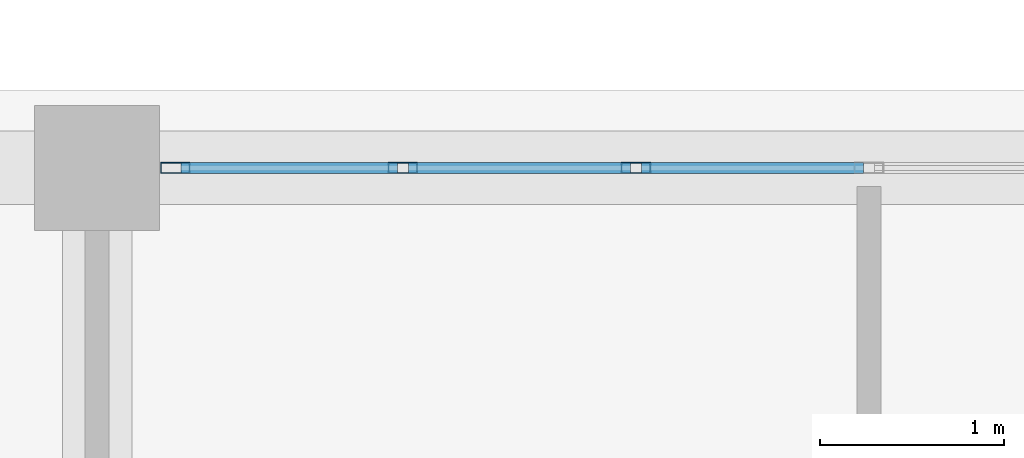
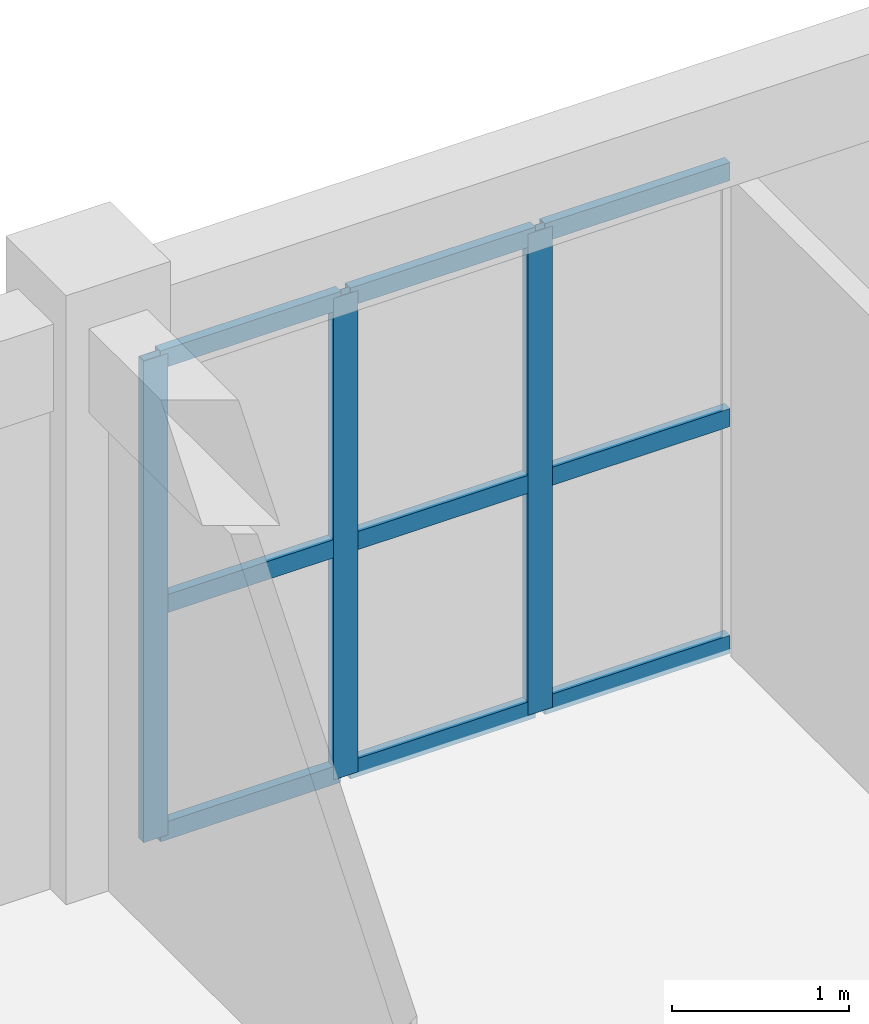
# One storey, part 81 of 140: 12 members, 1 element without a shape of its own.
"""IFC4 building model written with IfcOpenShell, lengths in metres."""

from ifc_helpers import new_model, si_unit, direction, frame, origin, origin_2d, place, context, subcontext, project, spatial, hollow_rectangle, extrude, material, layer, layer_set, material_profile, profile_set, type_object, element, aggregate, save


model = new_model("IFC4")

# Units and contexts
model_context = context("Model", 3, precision=1e-05, world=origin(), true_north=direction((0.0, 1.0)))
body_context = subcontext(model_context, "Body", "Model", "MODEL_VIEW")
ifc_project = project(units=[si_unit("LENGTHUNIT", "METRE"), si_unit("AREAUNIT", "SQUARE_METRE"), si_unit("VOLUMEUNIT", "CUBIC_METRE"), si_unit("PLANEANGLEUNIT", "RADIAN"), si_unit("MASSUNIT", "GRAM", prefix="KILO")], contexts=[model_context])

# Site, building, storey
site_placement = place(None, origin())
site = spatial("IfcSite", under=ifc_project, at=site_placement, CompositionType="ELEMENT")
building_placement = place(site_placement, origin())
building = spatial("IfcBuilding", under=site, at=building_placement, Name="Trelvath General Hospital", CompositionType="ELEMENT")
storey_placement = place(building_placement, frame((0.0, 0.0, 16.199951171875)))
storey = spatial("IfcBuildingStorey", under=building, at=storey_placement, Name="L04", CompositionType="ELEMENT", Elevation=16.199951171875)

# Curtain wall, members
ifc_material_1 = material(Name="Anodised aluminium and low-E glass", Category="aluminium")
ifc_layer = layer(ifc_material_1, 0.14990234375)
ifc_layer_set = layer_set([ifc_layer], Name="Anodised aluminium and low-E glass")
curtain_wall_type = type_object("IfcCurtainWallType", Name="CW Facade 761 332 15", PredefinedType="USERDEFINED", material=ifc_layer_set)
curtain_wall_placement = place(storey_placement, origin())
curtain_wall = element("IfcCurtainWall", 1, at=curtain_wall_placement, inside=storey, type_object=curtain_wall_type, Name="Facade Curtain Wall CW-067", ObjectType="Unitised Glazed Curtain Wall", PredefinedType="USERDEFINED")
ifc_material_2 = material(Name="Anodised aluminium", Category="aluminium")
ifc_material_profile_1 = material_profile(ifc_material_2, hollow_rectangle(XDim=0.06005859375, YDim=0.159912109375, WallThickness=0.00390625, at=origin_2d()), Name="RHS60x160x4")
ifc_profile_set_1 = profile_set([ifc_material_profile_1], Name="Anodised aluminium")
member_type_1 = type_object("IfcMemberType", Name="CurtainMullion 60x160", PredefinedType="MULLION", material=ifc_profile_set_1)
member_1_placement = place(storey_placement, frame((92.824951171875, 117.60009765625, 0.0), z_axis=(0.0, 0.0, 1.0), x_axis=(0.0, 1.0, 0.0)))
member_1 = element("IfcMember", 2, at=member_1_placement, type_object=member_type_1, Name="CW-067 mullion 1", PredefinedType="MULLION", context=body_context, shape_type="SweptSolid", body=[
    extrude(hollow_rectangle(XDim=0.06005859375, YDim=0.159912109375, WallThickness=0.00390625, at=origin_2d()), origin(), (0.0, 0.0, 1.0), 3.320068359375),
])
member_2_placement = place(storey_placement, frame((94.063232421875, 117.60009765625, 0.0), z_axis=(0.0, 0.0, 1.0), x_axis=(0.0, 1.0, 0.0)))
member_2 = element("IfcMember", 3, at=member_2_placement, type_object=member_type_1, Name="CW-067 mullion 2", PredefinedType="MULLION", context=body_context, shape_type="SweptSolid", body=[
    extrude(hollow_rectangle(XDim=0.06005859375, YDim=0.159912109375, WallThickness=0.00390625, at=origin_2d()), origin(), (0.0, 0.0, 1.0), 3.320068359375),
])
member_3_placement = place(storey_placement, frame((95.331787109375, 117.60009765625, 0.0), z_axis=(0.0, 0.0, 1.0), x_axis=(0.0, 1.0, 0.0)))
member_3 = element("IfcMember", 4, at=member_3_placement, type_object=member_type_1, Name="CW-067 mullion 3", PredefinedType="MULLION", context=body_context, shape_type="SweptSolid", body=[
    extrude(hollow_rectangle(XDim=0.06005859375, YDim=0.159912109375, WallThickness=0.00390625, at=origin_2d()), origin(), (0.0, 0.0, 1.0), 3.320068359375),
])
ifc_material_3 = material(Name="Anodised aluminium", Category="aluminium")
ifc_material_profile_2 = material_profile(ifc_material_3, hollow_rectangle(XDim=0.06005859375, YDim=0.125, WallThickness=0.00390625, at=origin_2d()), Name="RHS60x125x4")
ifc_profile_set_2 = profile_set([ifc_material_profile_2], Name="Anodised aluminium")
member_type_2 = type_object("IfcMemberType", Name="CurtainTransom 60x125", PredefinedType="USERDEFINED", material=ifc_profile_set_2)
member_4_placement = place(storey_placement, frame((92.85498046875, 117.60009765625, 0.030029296875), z_axis=(1.0, 0.0, 0.0), x_axis=(0.0, 1.0, 0.0)))
member_4 = element("IfcMember", 5, at=member_4_placement, type_object=member_type_2, Name="CW-067 transom 1.1", ObjectType="TRANSOM", PredefinedType="USERDEFINED", context=body_context, shape_type="SweptSolid", body=[
    extrude(hollow_rectangle(XDim=0.06005859375, YDim=0.125, WallThickness=0.00390625, at=origin_2d()), origin(), (0.0, 0.0, 1.0), 1.178466796875),
])
member_5_placement = place(storey_placement, frame((92.85498046875, 117.60009765625, 1.593994140625), z_axis=(1.0, 0.0, 0.0), x_axis=(0.0, 1.0, 0.0)))
member_5 = element("IfcMember", 6, at=member_5_placement, type_object=member_type_2, Name="CW-067 transom 1.2", ObjectType="TRANSOM", PredefinedType="USERDEFINED", context=body_context, shape_type="SweptSolid", body=[
    extrude(hollow_rectangle(XDim=0.06005859375, YDim=0.125, WallThickness=0.00390625, at=origin_2d()), origin(), (0.0, 0.0, 1.0), 1.178466796875),
])
member_6_placement = place(storey_placement, frame((92.85498046875, 117.60009765625, 3.2900390625), z_axis=(1.0, 0.0, 0.0), x_axis=(0.0, 1.0, 0.0)))
member_6 = element("IfcMember", 7, at=member_6_placement, type_object=member_type_2, Name="CW-067 transom 1.3", ObjectType="TRANSOM", PredefinedType="USERDEFINED", context=body_context, shape_type="SweptSolid", body=[
    extrude(hollow_rectangle(XDim=0.06005859375, YDim=0.125, WallThickness=0.00390625, at=origin_2d()), origin(), (0.0, 0.0, 1.0), 1.178466796875),
])
member_7_placement = place(storey_placement, frame((94.09326171875, 117.60009765625, 0.030029296875), z_axis=(1.0, 0.0, 0.0), x_axis=(0.0, 1.0, 0.0)))
member_7 = element("IfcMember", 8, at=member_7_placement, type_object=member_type_2, Name="CW-067 transom 2.1", ObjectType="TRANSOM", PredefinedType="USERDEFINED", context=body_context, shape_type="SweptSolid", body=[
    extrude(hollow_rectangle(XDim=0.06005859375, YDim=0.125, WallThickness=0.00390625, at=origin_2d()), origin(), (0.0, 0.0, 1.0), 1.20849609375),
])
member_8_placement = place(storey_placement, frame((94.09326171875, 117.60009765625, 1.593994140625), z_axis=(1.0, 0.0, 0.0), x_axis=(0.0, 1.0, 0.0)))
member_8 = element("IfcMember", 9, at=member_8_placement, type_object=member_type_2, Name="CW-067 transom 2.2", ObjectType="TRANSOM", PredefinedType="USERDEFINED", context=body_context, shape_type="SweptSolid", body=[
    extrude(hollow_rectangle(XDim=0.06005859375, YDim=0.125, WallThickness=0.00390625, at=origin_2d()), origin(), (0.0, 0.0, 1.0), 1.20849609375),
])
member_9_placement = place(storey_placement, frame((94.09326171875, 117.60009765625, 3.2900390625), z_axis=(1.0, 0.0, 0.0), x_axis=(0.0, 1.0, 0.0)))
member_9 = element("IfcMember", 10, at=member_9_placement, type_object=member_type_2, Name="CW-067 transom 2.3", ObjectType="TRANSOM", PredefinedType="USERDEFINED", context=body_context, shape_type="SweptSolid", body=[
    extrude(hollow_rectangle(XDim=0.06005859375, YDim=0.125, WallThickness=0.00390625, at=origin_2d()), origin(), (0.0, 0.0, 1.0), 1.20849609375),
])
member_10_placement = place(storey_placement, frame((95.361572265625, 117.60009765625, 0.030029296875), z_axis=(1.0, 0.0, 0.0), x_axis=(0.0, 1.0, 0.0)))
member_10 = element("IfcMember", 11, at=member_10_placement, type_object=member_type_2, Name="CW-067 transom 3.1", ObjectType="TRANSOM", PredefinedType="USERDEFINED", context=body_context, shape_type="SweptSolid", body=[
    extrude(hollow_rectangle(XDim=0.06005859375, YDim=0.125, WallThickness=0.00390625, at=origin_2d()), origin(), (0.0, 0.0, 1.0), 1.20849609375),
])
member_11_placement = place(storey_placement, frame((95.361572265625, 117.60009765625, 1.593994140625), z_axis=(1.0, 0.0, 0.0), x_axis=(0.0, 1.0, 0.0)))
member_11 = element("IfcMember", 12, at=member_11_placement, type_object=member_type_2, Name="CW-067 transom 3.2", ObjectType="TRANSOM", PredefinedType="USERDEFINED", context=body_context, shape_type="SweptSolid", body=[
    extrude(hollow_rectangle(XDim=0.06005859375, YDim=0.125, WallThickness=0.00390625, at=origin_2d()), origin(), (0.0, 0.0, 1.0), 1.20849609375),
])
member_12_placement = place(storey_placement, frame((95.361572265625, 117.60009765625, 3.2900390625), z_axis=(1.0, 0.0, 0.0), x_axis=(0.0, 1.0, 0.0)))
member_12 = element("IfcMember", 13, at=member_12_placement, type_object=member_type_2, Name="CW-067 transom 3.3", ObjectType="TRANSOM", PredefinedType="USERDEFINED", context=body_context, shape_type="SweptSolid", body=[
    extrude(hollow_rectangle(XDim=0.06005859375, YDim=0.125, WallThickness=0.00390625, at=origin_2d()), origin(), (0.0, 0.0, 1.0), 1.20849609375),
])
aggregate(curtain_wall, [member_1, member_2, member_3, member_4, member_5, member_6, member_7, member_8, member_9, member_10, member_11, member_12])

save(model, "model.ifc")
